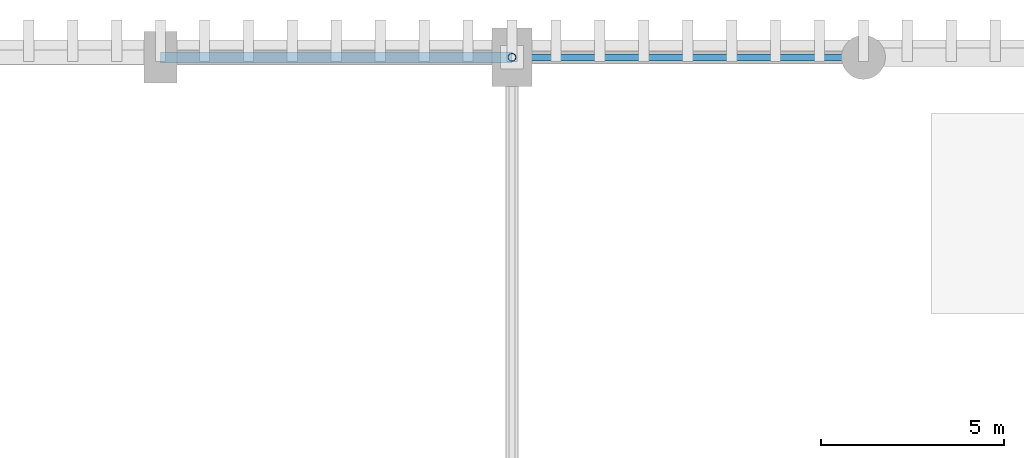
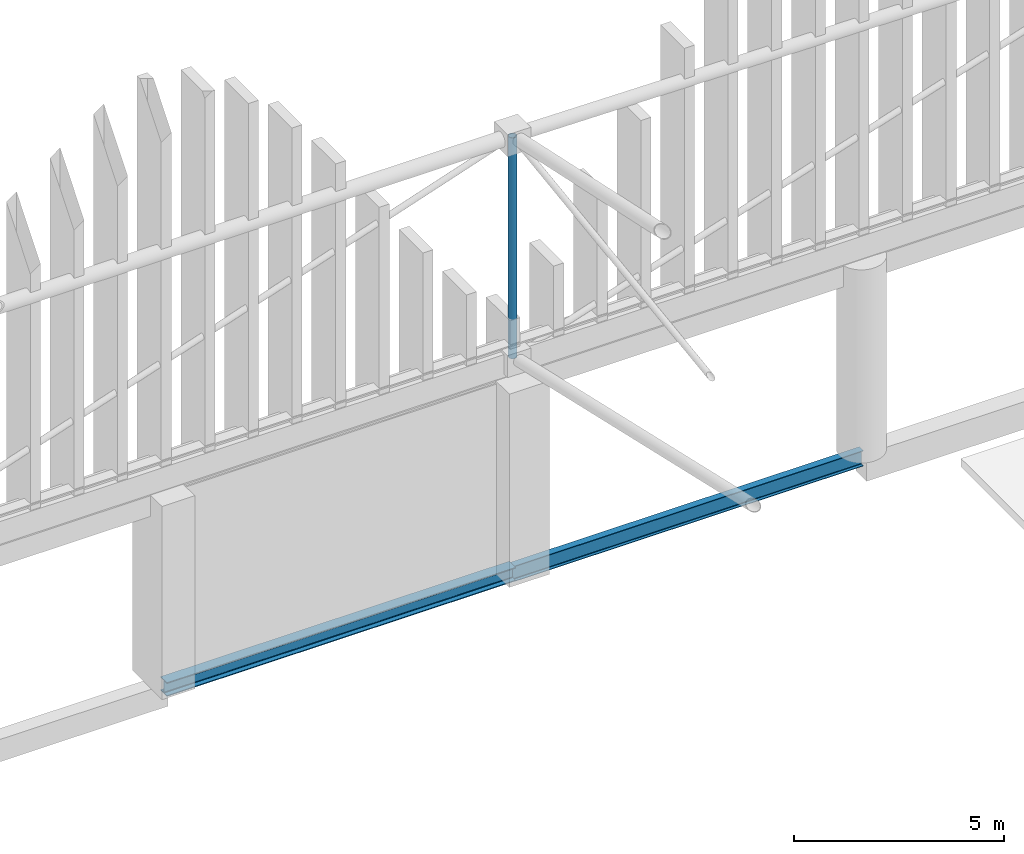
# One storey, part 127 of 193: 2 beams, 1 member.
"""IFC4 building model written with IfcOpenShell, lengths in metres."""

from ifc_helpers import new_model, si_unit, direction, frame, origin, origin_2d, place, context, subcontext, project, spatial, hollow_circle, i_section, extrude, material, material_profile, profile_set, type_object, element, save


model = new_model("IFC4")

# Units and contexts
model_context = context("Model", 3, precision=1e-05, world=origin(), true_north=direction((0.0, 1.0)))
body_context = subcontext(model_context, "Body", "Model", "MODEL_VIEW")
ifc_project = project(units=[si_unit("LENGTHUNIT", "METRE"), si_unit("AREAUNIT", "SQUARE_METRE"), si_unit("VOLUMEUNIT", "CUBIC_METRE"), si_unit("PLANEANGLEUNIT", "RADIAN"), si_unit("MASSUNIT", "GRAM", prefix="KILO")], contexts=[model_context])

# Site, building, storey
site_placement = place(None, origin())
site = spatial("IfcSite", under=ifc_project, at=site_placement, CompositionType="ELEMENT")
building_placement = place(site_placement, origin())
building = spatial("IfcBuilding", under=site, at=building_placement, Name="Danafjord Basin Convention Centre", CompositionType="ELEMENT")
storey_placement = place(building_placement, frame((0.0, 0.0, 11.39990234375)))
storey = spatial("IfcBuildingStorey", under=building, at=storey_placement, Name="L02", CompositionType="ELEMENT", Elevation=11.39990234375)

# Beams
ifc_material = material(Name="Steel S355", Category="steel")
ifc_material_profile_1 = material_profile(ifc_material, i_section(OverallWidth=0.300048828125, OverallDepth=0.39990234375, WebThickness=0.013427734375, FlangeThickness=0.02392578125, FilletRadius=0.027099609375, at=origin_2d()), Name="HEB 400")
ifc_profile_set_1 = profile_set([ifc_material_profile_1], Name="Steel S355")
beam_type_1 = type_object("IfcBeamType", Name="BEAM-SP-HEB400", PredefinedType="SPANDREL", material=ifc_profile_set_1)
beam_1_placement = place(storey_placement, frame((28.800048828125, 144.0, -0.199951171875), z_axis=(1.0, 0.0, 0.0), x_axis=(0.0, 1.0, 0.0)))
element("IfcBeam", 1, at=beam_1_placement, inside=storey, type_object=beam_type_1, Name="L02 girder SP-HEB400", PredefinedType="SPANDREL", context=body_context, shape_type="SweptSolid", body=[
    extrude(i_section(OverallWidth=0.300048828125, OverallDepth=0.39990234375, WebThickness=0.013427734375, FlangeThickness=0.02392578125, FilletRadius=0.027099609375, at=origin_2d()), origin(), (0.0, 0.0, 1.0), 9.599853515625),
])
ifc_material_profile_2 = material_profile(ifc_material, i_section(OverallWidth=0.18994140625, OverallDepth=0.449951171875, WebThickness=0.009521484375, FlangeThickness=0.0146484375, FilletRadius=0.02099609375, at=origin_2d()), Name="IPE 450")
ifc_profile_set_2 = profile_set([ifc_material_profile_2], Name="Steel S355")
beam_type_2 = type_object("IfcBeamType", Name="BEAM-SP-IPE450", PredefinedType="SPANDREL", material=ifc_profile_set_2)
beam_2_placement = place(storey_placement, frame((38.39990234375, 144.0, -0.224853515625), z_axis=(1.0, 0.0, 0.0), x_axis=(0.0, 1.0, 0.0)))
element("IfcBeam", 2, at=beam_2_placement, inside=storey, type_object=beam_type_2, Name="L02 girder SP-IPE450", PredefinedType="SPANDREL", context=body_context, shape_type="SweptSolid", body=[
    extrude(i_section(OverallWidth=0.18994140625, OverallDepth=0.449951171875, WebThickness=0.009521484375, FlangeThickness=0.0146484375, FilletRadius=0.02099609375, at=origin_2d()), origin(), (0.0, 0.0, 1.0), 9.60009765625),
])

# Member
ifc_material_profile_3 = material_profile(ifc_material, hollow_circle(Radius=0.109619140625, WallThickness=0.010009765625, at=origin_2d()), Name="CHS 219.1x10.0")
ifc_profile_set_3 = profile_set([ifc_material_profile_3], Name="Steel S355")
member_type = type_object("IfcMemberType", Name="MEM-ST-CHS219", PredefinedType="STRUT", material=ifc_profile_set_3)
member_placement = place(storey_placement, frame((38.39990234375, 144.0, 6.050048828125), z_axis=(0.0, 0.0, 1.0), x_axis=(1.0, 0.0, 0.0)))
element("IfcMember", 3, at=member_placement, inside=storey, type_object=member_type, Name="V1 roof truss vertical strut", PredefinedType="STRUT", context=body_context, shape_type="SweptSolid", body=[
    extrude(hollow_circle(Radius=0.109619140625, WallThickness=0.010009765625, at=origin_2d()), origin(), (0.0, 0.0, 1.0), 6.425048828125),
])

save(model, "model.ifc")
